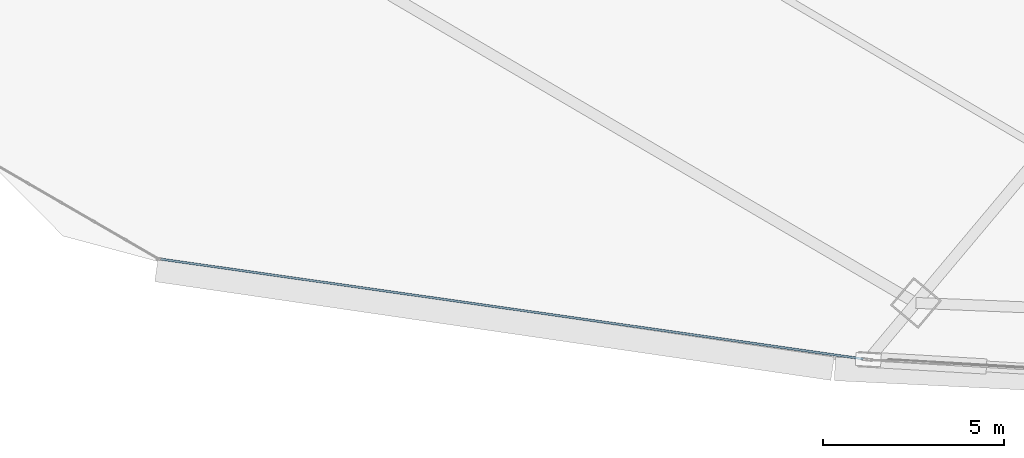
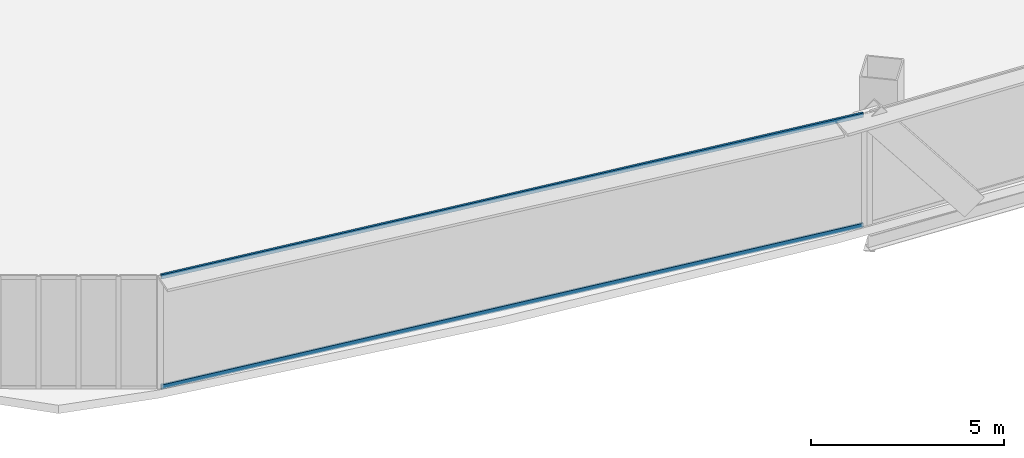
# One storey, part 3 of 39: 2 members, 1 element without a shape of its own.
"""IFC4 building model written with IfcOpenShell, lengths in metres."""

from ifc_helpers import new_model, si_unit, direction, frame, origin, origin_2d, place, context, subcontext, project, spatial, hollow_rectangle, extrude, source, transform, mapped, material, layer, layer_set, material_profile, profile_set, type_object, element, aggregate, save


model = new_model("IFC4")

# Units and contexts
model_context = context("Model", 3, precision=1e-05, world=origin(), true_north=direction((0.0, 1.0)))
body_context = subcontext(model_context, "Body", "Model", "MODEL_VIEW")
ifc_project = project(units=[si_unit("LENGTHUNIT", "METRE"), si_unit("AREAUNIT", "SQUARE_METRE"), si_unit("VOLUMEUNIT", "CUBIC_METRE"), si_unit("PLANEANGLEUNIT", "RADIAN"), si_unit("MASSUNIT", "GRAM", prefix="KILO"), si_unit("THERMODYNAMICTEMPERATUREUNIT", "KELVIN"), si_unit("POWERUNIT", "WATT")], contexts=[model_context])

# Site, building, storey
site_placement = place(None, origin())
site = spatial("IfcSite", under=ifc_project, at=site_placement, CompositionType="ELEMENT")
building_placement = place(site_placement, origin())
building = spatial("IfcBuilding", under=site, at=building_placement, Name="Yunzhuo Pagoda Commons", CompositionType="ELEMENT")
storey_placement = place(building_placement, frame((0.0, 0.0, 92.580078125)))
storey = spatial("IfcBuildingStorey", under=building, at=storey_placement, Name="L23", CompositionType="ELEMENT", Elevation=92.580078125)

# Curtain wall, members
ifc_material = material(Name="Anodized aluminium 6063-T6", Category="aluminium")
ifc_layer = layer(ifc_material, 0.1650390625)
ifc_layer_set = layer_set([ifc_layer], Name="Anodized aluminium 6063-T6")
curtain_wall_type = type_object("IfcCurtainWallType", Name="CW-LOW Low-Zone Ribbon Curtain Wall", PredefinedType="NOTDEFINED", material=ifc_layer_set)
curtain_wall_placement = place(storey_placement, origin())
curtain_wall = element("IfcCurtainWall", 1, at=curtain_wall_placement, inside=storey, type_object=curtain_wall_type, Name="L23 curtain wall CW-L23-F1B1", PredefinedType="NOTDEFINED")
ifc_material_profile = material_profile(ifc_material, hollow_rectangle(XDim=0.06005859375, YDim=0.139892578125, WallThickness=0.00341796875, at=origin_2d()), Name="Anodized aluminium 6063-T6")
ifc_profile_set = profile_set([ifc_material_profile], Name="Anodized aluminium 6063-T6")
member_type = type_object("IfcMemberType", Name="CW-LOW-T Transom RHS 140x60x3.5", PredefinedType="USERDEFINED", material=ifc_profile_set)
shared_shape = source(origin(), body_context, "Body", "SweptSolid", [
    extrude(hollow_rectangle(XDim=0.06005859375, YDim=0.139892578125, WallThickness=0.00341796875, at=origin_2d()), origin(), (0.0, 0.0, 1.0), 19.56298828125),
])
member_1_placement = place(storey_placement, frame((10.744140625, 15.32080078125, 0.030029296875), z_axis=(0.990043868735, -0.140759148836, 0.0), x_axis=(0.140759148836, 0.990043868735, 0.0)))
member_1 = element("IfcMember", 2, at=member_1_placement, type_object=member_type, Name="CW transom 1.1", ObjectType="TRANSOM", PredefinedType="USERDEFINED", context=body_context, shape_type="MappedRepresentation", body=[
    mapped(shared_shape, transform((0.0, 0.0, 0.0), scale=1.0)),
])
member_2_placement = place(storey_placement, frame((10.744140625, 15.32080078125, 3.510009765625), z_axis=(0.990043868735, -0.140759148836, 0.0), x_axis=(0.140759148836, 0.990043868735, 0.0)))
member_2 = element("IfcMember", 3, at=member_2_placement, type_object=member_type, Name="CW transom 1.2", ObjectType="TRANSOM", PredefinedType="USERDEFINED", context=body_context, shape_type="MappedRepresentation", body=[
    mapped(shared_shape, transform((0.0, 0.0, 0.0), scale=1.0)),
])
aggregate(curtain_wall, [member_1, member_2])

save(model, "model.ifc")
